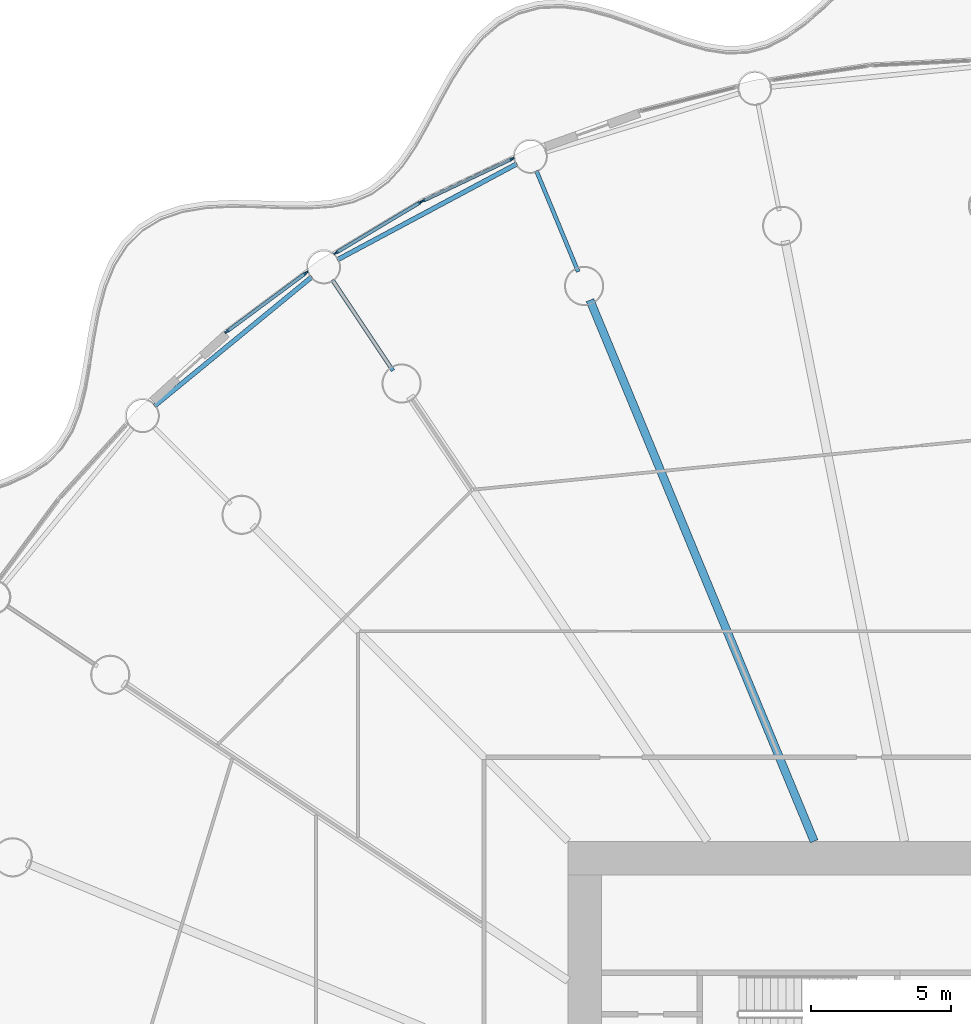
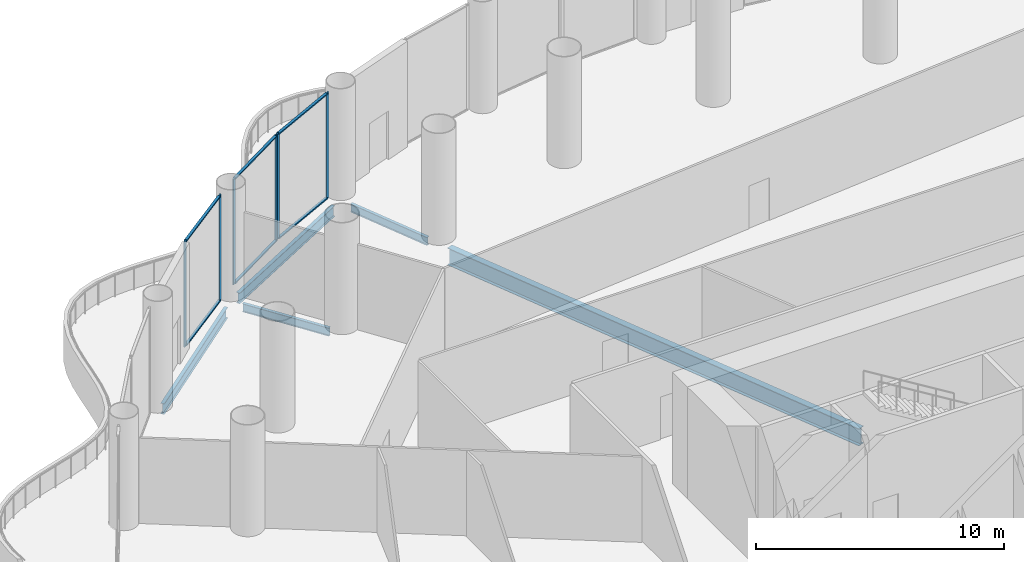
# One storey, part 16 of 37: 12 members, 5 beams, 3 elements without a shape of their own.
"""IFC4 building model written with IfcOpenShell, lengths in metres."""

from ifc_helpers import new_model, si_unit, direction, frame, origin, origin_2d, place, context, subcontext, project, spatial, rectangle, i_section, extrude, material, material_profile, profile_set, type_object, element, aggregate, save


model = new_model("IFC4")

# Units and contexts
model_context = context("Model", 3, precision=1e-05, world=origin(), true_north=direction((0.0, 1.0)))
body_context = subcontext(model_context, "Body", "Model", "MODEL_VIEW")
ifc_project = project(units=[si_unit("LENGTHUNIT", "METRE"), si_unit("AREAUNIT", "SQUARE_METRE"), si_unit("VOLUMEUNIT", "CUBIC_METRE"), si_unit("PLANEANGLEUNIT", "RADIAN"), si_unit("MASSUNIT", "GRAM", prefix="KILO")], contexts=[model_context])

# Site, building, storey
site_placement = place(None, origin())
site = spatial("IfcSite", under=ifc_project, at=site_placement, CompositionType="ELEMENT")
building_placement = place(site_placement, origin())
building = spatial("IfcBuilding", under=site, at=building_placement, Name="Corvane Civic Tower", CompositionType="ELEMENT")
storey_placement = place(building_placement, frame((0.0, 0.0, 11.5)))
storey = spatial("IfcBuildingStorey", under=building, at=storey_placement, Name="L02", CompositionType="ELEMENT", Elevation=11.5)

# Beams
ifc_material_1 = material(Name="Steel ASTM A992 Gr 50", Category="steel")
ifc_material_profile_1 = material_profile(ifc_material_1, i_section(OverallWidth=0.165771484375, OverallDepth=0.5283203125, WebThickness=0.009765625, FlangeThickness=0.013671875, at=origin_2d()), Name="W21X50")
ifc_profile_set_1 = profile_set([ifc_material_profile_1], Name="Steel ASTM A992 Gr 50")
beam_type_1 = type_object("IfcBeamType", Name="EDGE BEAM W21X50", PredefinedType="BEAM", material=ifc_profile_set_1)
for number, where, z_axis, x_axis, name in (
    (1, (-29.768310546875, 30.542236328125, -0.564208984375), (0.773007924807, 0.634396365205, 0.0), (-0.634396365205, 0.773007924807, 0.0), "BM-L02-E29"),
    (2, (-23.23779296875, 35.762939453125, -0.564208984375), (0.881912894916, 0.471412394598, 0.0), (-0.471412394598, 0.881912894916, 0.0), "BM-L02-E30"),
):
    element("IfcBeam", number, at=place(storey_placement, frame(where, z_axis=z_axis, x_axis=x_axis)), inside=storey, type_object=beam_type_1, Name=name, PredefinedType="BEAM", context=body_context, shape_type="SweptSolid", body=[
        extrude(i_section(OverallWidth=0.165771484375, OverallDepth=0.5283203125, WebThickness=0.009765625, FlangeThickness=0.013671875, at=origin_2d()), origin(), (0.0, 0.0, 1.0), 7.270751953125),
    ])
ifc_material_2 = material(Name="Steel ASTM A992 Gr 50", Category="steel")
ifc_material_profile_2 = material_profile(ifc_material_2, i_section(OverallWidth=0.140380859375, OverallDepth=0.40380859375, WebThickness=0.007080078125, FlangeThickness=0.01123046875, at=origin_2d()), Name="W16X31")
ifc_profile_set_2 = profile_set([ifc_material_profile_2], Name="Steel ASTM A992 Gr 50")
beam_type_2 = type_object("IfcBeamType", Name="FLOOR GIRDER W16X31", PredefinedType="BEAM", material=ifc_profile_set_2)
for number, where, z_axis, x_axis, name in (
    (3, (-21.25048828125, 31.8037109375, -0.501953125), (-0.555581110199, 0.831462344301, 0.0), (-0.831462344301, -0.555581110199, 0.0), "BM-L02-G30b"),
    (4, (-14.6376953125, 35.33837890625, -0.501953125), (-0.382685369162, 0.923878730261, 0.0), (-0.923878730261, -0.382685369162, 0.0), "BM-L02-G31b"),
):
    element("IfcBeam", number, at=place(storey_placement, frame(where, z_axis=z_axis, x_axis=x_axis)), inside=storey, type_object=beam_type_2, Name=name, PredefinedType="BEAM", context=body_context, shape_type="SweptSolid", body=[
        extrude(i_section(OverallWidth=0.140380859375, OverallDepth=0.40380859375, WebThickness=0.007080078125, FlangeThickness=0.01123046875, at=origin_2d()), origin(), (0.0, 0.0, 1.0), 3.89990234375),
    ])
ifc_material_3 = material(Name="Steel ASTM A992 Gr 50", Category="steel")
ifc_material_profile_3 = material_profile(ifc_material_3, i_section(OverallWidth=0.2919921875, OverallDepth=0.845703125, WebThickness=0.015380859375, FlangeThickness=0.0244140625, at=origin_2d()), Name="W33X141")
ifc_profile_set_3 = profile_set([ifc_material_profile_3], Name="Steel ASTM A992 Gr 50")
beam_type_3 = type_object("IfcBeamType", Name="FLOOR GIRDER W33X141", PredefinedType="BEAM", material=ifc_profile_set_3)
beam_placement = place(storey_placement, frame((-6.213134765625, 15.0, -0.722900390625), z_axis=(-0.382692360381, 0.923875834355, 0.0), x_axis=(-0.923875834355, -0.382692360381, 0.0)))
element("IfcBeam", 5, at=beam_placement, inside=storey, type_object=beam_type_3, Name="BM-L02-G31", PredefinedType="BEAM", context=body_context, shape_type="SweptSolid", body=[
    extrude(i_section(OverallWidth=0.2919921875, OverallDepth=0.845703125, WebThickness=0.015380859375, FlangeThickness=0.0244140625, at=origin_2d()), origin(), (0.0, 0.0, 1.0), 20.9140625),
])

# Curtain wall, members
ifc_material_4 = material(Name="Aluminium and glass", Category="aluminium")
curtain_wall_type = type_object("IfcCurtainWallType", Name="PODIUM-CW-P-RUN", PredefinedType="NOTDEFINED", material=ifc_material_4)
curtain_wall_1_placement = place(storey_placement, origin())
curtain_wall_1 = element("IfcCurtainWall", 6, at=curtain_wall_1_placement, inside=storey, type_object=curtain_wall_type, Name="PODI run L02-drum-29B", PredefinedType="NOTDEFINED")
ifc_material_5 = material(Name="Anodised aluminium bronze", Category="aluminium")
ifc_material_profile_4 = material_profile(ifc_material_5, rectangle(XDim=0.06005859375, YDim=0.159912109375, at=origin_2d()), Name="AL 60x160")
ifc_profile_set_4 = profile_set([ifc_material_profile_4], Name="Anodised aluminium bronze")
member_type_1 = type_object("IfcMemberType", Name="PODIUM-CWP-MULLION-60x160", PredefinedType="MULLION", material=ifc_profile_set_4)
member_1_placement = place(storey_placement, frame((-27.18505859375, 33.197021484375, 0.0), z_axis=(0.0, 0.0, 1.0), x_axis=(-0.595705104665, 0.803203229747, 0.0)))
member_1 = element("IfcMember", 7, at=member_1_placement, type_object=member_type_1, Name="CW-P mullion 1", PredefinedType="MULLION", context=body_context, shape_type="SweptSolid", body=[
    extrude(rectangle(XDim=0.06005859375, YDim=0.159912109375, at=origin_2d()), origin(), (0.0, 0.0, 1.0), 5.199951171875),
])
member_2_placement = place(storey_placement, frame((-24.35791015625, 35.293701171875, 0.0), z_axis=(0.0, 0.0, 1.0), x_axis=(-0.595705104665, 0.803203229747, 0.0)))
member_2 = element("IfcMember", 8, at=member_2_placement, type_object=member_type_1, Name="CW-P mullion 2", PredefinedType="MULLION", context=body_context, shape_type="SweptSolid", body=[
    extrude(rectangle(XDim=0.06005859375, YDim=0.159912109375, at=origin_2d()), origin(), (0.0, 0.0, 1.0), 5.199951171875),
])

curtain_wall_2_placement = place(storey_placement, origin())
curtain_wall_2 = element("IfcCurtainWall", 9, at=curtain_wall_2_placement, inside=storey, type_object=curtain_wall_type, Name="PODI run L02-drum-30A", PredefinedType="NOTDEFINED")
member_3_placement = place(storey_placement, frame((-23.28564453125, 36.010009765625, 0.0), z_axis=(0.0, 0.0, 1.0), x_axis=(-0.514117759857, 0.857719609779, 0.0)))
member_3 = element("IfcMember", 10, at=member_3_placement, type_object=member_type_1, Name="CW-P mullion 1", PredefinedType="MULLION", context=body_context, shape_type="SweptSolid", body=[
    extrude(rectangle(XDim=0.06005859375, YDim=0.159912109375, at=origin_2d()), origin(), (0.0, 0.0, 1.0), 5.199951171875),
])
member_4_placement = place(storey_placement, frame((-20.2666015625, 37.819580078125, 0.0), z_axis=(0.0, 0.0, 1.0), x_axis=(-0.514117759857, 0.857719609779, 0.0)))
member_4 = element("IfcMember", 11, at=member_4_placement, type_object=member_type_1, Name="CW-P mullion 2", PredefinedType="MULLION", context=body_context, shape_type="SweptSolid", body=[
    extrude(rectangle(XDim=0.06005859375, YDim=0.159912109375, at=origin_2d()), origin(), (0.0, 0.0, 1.0), 5.199951171875),
])

curtain_wall_3_placement = place(storey_placement, origin())
curtain_wall_3 = element("IfcCurtainWall", 12, at=curtain_wall_3_placement, inside=storey, type_object=curtain_wall_type, Name="PODI run L02-drum-30B", PredefinedType="NOTDEFINED")
member_5_placement = place(storey_placement, frame((-20.186279296875, 37.862548828125, 0.0), z_axis=(0.0, 0.0, 1.0), x_axis=(-0.42755312852, 0.903990222454, 0.0)))
member_5 = element("IfcMember", 13, at=member_5_placement, type_object=member_type_1, Name="CW-P mullion 1", PredefinedType="MULLION", context=body_context, shape_type="SweptSolid", body=[
    extrude(rectangle(XDim=0.06005859375, YDim=0.159912109375, at=origin_2d()), origin(), (0.0, 0.0, 1.0), 5.199951171875),
])
member_6_placement = place(storey_placement, frame((-17.00439453125, 39.36767578125, 0.0), z_axis=(0.0, 0.0, 1.0), x_axis=(-0.42755312852, 0.903990222454, 0.0)))
member_6 = element("IfcMember", 14, at=member_6_placement, type_object=member_type_1, Name="CW-P mullion 2", PredefinedType="MULLION", context=body_context, shape_type="SweptSolid", body=[
    extrude(rectangle(XDim=0.06005859375, YDim=0.159912109375, at=origin_2d()), origin(), (0.0, 0.0, 1.0), 5.199951171875),
])

# Member
ifc_material_6 = material(Name="Anodised aluminium bronze", Category="aluminium")
ifc_material_profile_5 = material_profile(ifc_material_6, rectangle(XDim=0.1201171875, YDim=0.06005859375, at=origin_2d()), Name="AL 120x60")
ifc_profile_set_5 = profile_set([ifc_material_profile_5], Name="Anodised aluminium bronze")
member_type_2 = type_object("IfcMemberType", Name="PODIUM-CWP-TRANSOM-60x120", PredefinedType="USERDEFINED", material=ifc_profile_set_5)
member_7_placement = place(storey_placement, frame((-27.160888671875, 33.21484375, 0.030029296875), z_axis=(0.803189518598, 0.595723591285, 0.0), x_axis=(-0.595723591285, 0.803189518598, 0.0)))
member_7 = element("IfcMember", 15, at=member_7_placement, type_object=member_type_2, Name="CW-P transom 1.1", ObjectType="TRANSOM", PredefinedType="USERDEFINED", context=body_context, shape_type="SweptSolid", body=[
    extrude(rectangle(XDim=0.1201171875, YDim=0.06005859375, at=origin_2d()), origin(), (0.0, 0.0, 1.0), 3.459716796875),
])

member_8_placement = place(storey_placement, frame((-27.160888671875, 33.21484375, 5.169921875), z_axis=(0.803189518598, 0.595723591285, 0.0), x_axis=(-0.595723591285, 0.803189518598, 0.0)))
member_8 = element("IfcMember", 16, at=member_8_placement, type_object=member_type_2, Name="CW-P transom 1.2", ObjectType="TRANSOM", PredefinedType="USERDEFINED", context=body_context, shape_type="SweptSolid", body=[
    extrude(rectangle(XDim=0.1201171875, YDim=0.06005859375, at=origin_2d()), origin(), (0.0, 0.0, 1.0), 3.459716796875),
])

aggregate(curtain_wall_1, [member_1, member_2, member_7, member_8])

member_9_placement = place(storey_placement, frame((-23.259765625, 36.025634765625, 0.030029296875), z_axis=(0.857723234181, 0.514111713099, 0.0), x_axis=(-0.514111713099, 0.857723234181, 0.0)))
member_9 = element("IfcMember", 17, at=member_9_placement, type_object=member_type_2, Name="CW-P transom 1.1", ObjectType="TRANSOM", PredefinedType="USERDEFINED", context=body_context, shape_type="SweptSolid", body=[
    extrude(rectangle(XDim=0.1201171875, YDim=0.06005859375, at=origin_2d()), origin(), (0.0, 0.0, 1.0), 3.45947265625),
])

member_10_placement = place(storey_placement, frame((-23.259765625, 36.025634765625, 5.169921875), z_axis=(0.857723234181, 0.514111713099, 0.0), x_axis=(-0.514111713099, 0.857723234181, 0.0)))
member_10 = element("IfcMember", 18, at=member_10_placement, type_object=member_type_2, Name="CW-P transom 1.2", ObjectType="TRANSOM", PredefinedType="USERDEFINED", context=body_context, shape_type="SweptSolid", body=[
    extrude(rectangle(XDim=0.1201171875, YDim=0.06005859375, at=origin_2d()), origin(), (0.0, 0.0, 1.0), 3.45947265625),
])

aggregate(curtain_wall_2, [member_3, member_4, member_9, member_10])

member_11_placement = place(storey_placement, frame((-20.1591796875, 37.87548828125, 0.030029296875), z_axis=(0.903993431638, 0.427546343166, 0.0), x_axis=(-0.427546343166, 0.903993431638, 0.0)))
member_11 = element("IfcMember", 19, at=member_11_placement, type_object=member_type_2, Name="CW-P transom 1.1", ObjectType="TRANSOM", PredefinedType="USERDEFINED", context=body_context, shape_type="SweptSolid", body=[
    extrude(rectangle(XDim=0.1201171875, YDim=0.06005859375, at=origin_2d()), origin(), (0.0, 0.0, 1.0), 3.4599609375),
])

member_12_placement = place(storey_placement, frame((-20.1591796875, 37.87548828125, 5.169921875), z_axis=(0.903993431638, 0.427546343166, 0.0), x_axis=(-0.427546343166, 0.903993431638, 0.0)))
member_12 = element("IfcMember", 20, at=member_12_placement, type_object=member_type_2, Name="CW-P transom 1.2", ObjectType="TRANSOM", PredefinedType="USERDEFINED", context=body_context, shape_type="SweptSolid", body=[
    extrude(rectangle(XDim=0.1201171875, YDim=0.06005859375, at=origin_2d()), origin(), (0.0, 0.0, 1.0), 3.4599609375),
])

aggregate(curtain_wall_3, [member_5, member_6, member_11, member_12])

save(model, "model.ifc")
